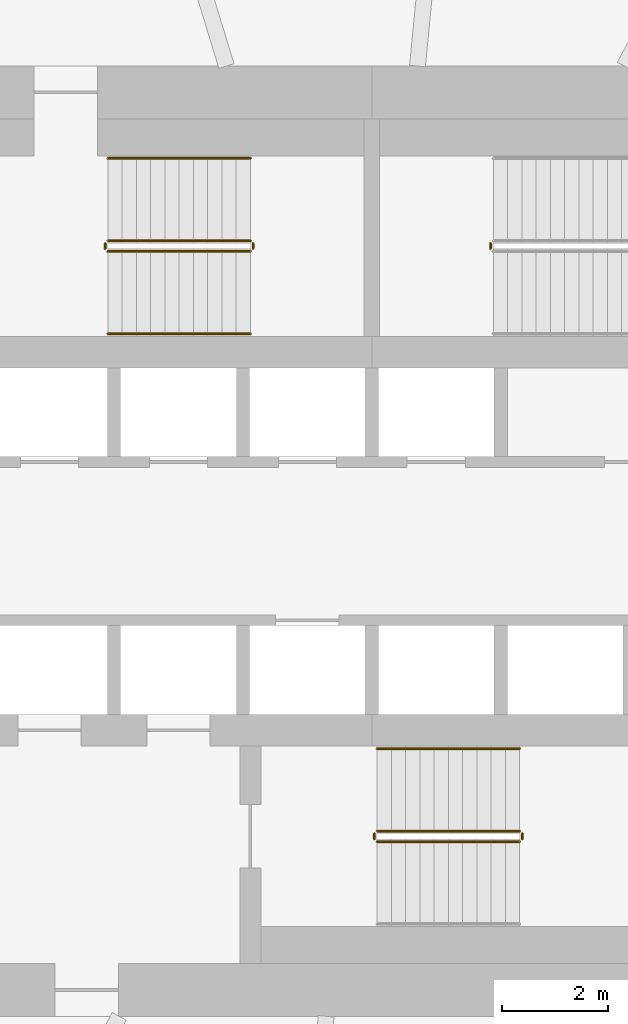
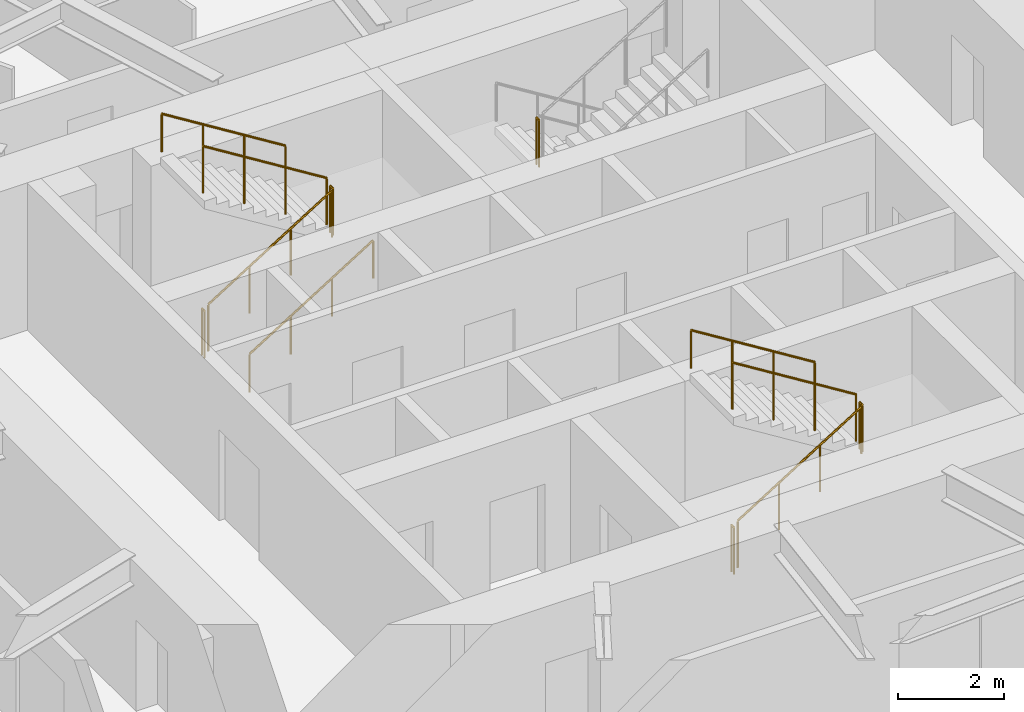
# One storey, part 13 of 17: 12 railings.
"""IFC4 building model written with IfcOpenShell, lengths in metres."""

from ifc_helpers import new_model, si_unit, direction, frame, origin, origin_2d, place, context, subcontext, project, spatial, circle, extrude, material, type_object, element, save


model = new_model("IFC4")

# Units and contexts
model_context = context("Model", 3, precision=1e-05, world=origin(), true_north=direction((0.0, 1.0)))
body_context = subcontext(model_context, "Body", "Model", "MODEL_VIEW")
ifc_project = project(units=[si_unit("LENGTHUNIT", "METRE"), si_unit("AREAUNIT", "SQUARE_METRE"), si_unit("VOLUMEUNIT", "CUBIC_METRE"), si_unit("PLANEANGLEUNIT", "RADIAN"), si_unit("MASSUNIT", "GRAM", prefix="KILO")], contexts=[model_context])

# Site, building, storey
site_placement = place(None, origin())
site = spatial("IfcSite", under=ifc_project, at=site_placement, CompositionType="ELEMENT")
building_placement = place(site_placement, origin())
building = spatial("IfcBuilding", under=site, at=building_placement, Name="Vermilion Reach Broadcast Tower", CompositionType="ELEMENT")
storey_placement = place(building_placement, frame((0.0, 0.0, 39.699951171875)))
storey = spatial("IfcBuildingStorey", under=building, at=storey_placement, Name="L06", CompositionType="ELEMENT", Elevation=39.699951171875)

# Railings
ifc_material_1 = material(Name="Stainless steel", Category="steel")
railing_type_1 = type_object("IfcRailingType", Name="Stair guard 1100", PredefinedType="GUARDRAIL", material=ifc_material_1)
railing_1_placement = place(storey_placement, frame((-11.0, 5.489990234375, 0.168212890625)))
element("IfcRailing", 1, at=railing_1_placement, inside=storey, type_object=railing_type_1, Name="L06 ST1 stair guard 1", PredefinedType="GUARDRAIL", context=body_context, shape_type="SweptSolid", body=[
    extrude(circle(Radius=0.02392578125, at=origin_2d()), frame((0.0, 0.0, 1.076171875), z_axis=(0.848786430784, 0.0, 0.528735846068), x_axis=(0.0, 1.0, 0.0)), (0.0, 0.0, 1.0), 3.180908203125),
    extrude(circle(Radius=0.02099609375, at=origin_2d()), origin(), (0.0, 0.0, 1.0), 1.052001953125),
    extrude(circle(Radius=0.02099609375, at=origin_2d()), frame((0.89990234375, 0.0, 0.560546875)), (0.0, 0.0, 1.0), 1.052001953125),
    extrude(circle(Radius=0.02099609375, at=origin_2d()), frame((1.800048828125, 0.0, 1.121337890625)), (0.0, 0.0, 1.0), 1.052001953125),
    extrude(circle(Radius=0.02099609375, at=origin_2d()), frame((2.699951171875, 0.0, 1.681884765625)), (0.0, 0.0, 1.0), 1.052001953125),
])
railing_2_placement = place(storey_placement, frame((-8.25, 5.5400390625, 1.85009765625)))
element("IfcRailing", 2, at=railing_2_placement, inside=storey, type_object=railing_type_1, Name="L06 ST1 stair guard 2", PredefinedType="GUARDRAIL", context=body_context, shape_type="SweptSolid", body=[
    extrude(circle(Radius=0.02392578125, at=origin_2d()), frame((0.0, 0.0, 1.076171875), z_axis=(0.0, 1.0, 0.0), x_axis=(-1.0, 0.0, 0.0)), (0.0, 0.0, 1.0), 0.099853515625),
    extrude(circle(Radius=0.02099609375, at=origin_2d()), origin(), (0.0, 0.0, 1.0), 1.052001953125),
    extrude(circle(Radius=0.02099609375, at=origin_2d()), frame((0.0, 0.099853515625, 0.0)), (0.0, 0.0, 1.0), 1.052001953125),
])
railing_3_placement = place(storey_placement, frame((-8.300048828125, 5.68994140625, 2.018310546875)))
element("IfcRailing", 3, at=railing_3_placement, inside=storey, type_object=railing_type_1, Name="L06 ST1 stair guard 3", PredefinedType="GUARDRAIL", context=body_context, shape_type="SweptSolid", body=[
    extrude(circle(Radius=0.02392578125, at=origin_2d()), frame((0.0, 0.0, 1.076171875), z_axis=(-0.84882087487, 0.0, 0.528680548522), x_axis=(0.0, -1.0, 0.0)), (0.0, 0.0, 1.0), 3.180908203125),
    extrude(circle(Radius=0.02099609375, at=origin_2d()), origin(), (0.0, 0.0, 1.0), 1.052001953125),
    extrude(circle(Radius=0.02099609375, at=origin_2d()), frame((-0.89990234375, 0.0, 0.560546875)), (0.0, 0.0, 1.0), 1.052001953125),
    extrude(circle(Radius=0.02099609375, at=origin_2d()), frame((-1.800048828125, 0.0, 1.12109375)), (0.0, 0.0, 1.0), 1.052001953125),
    extrude(circle(Radius=0.02099609375, at=origin_2d()), frame((-2.699951171875, 0.0, 1.681640625)), (0.0, 0.0, 1.0), 1.052001953125),
])
railing_4_placement = place(storey_placement, frame((-11.050048828125, 5.5400390625, 0.0)))
element("IfcRailing", 4, at=railing_4_placement, inside=storey, type_object=railing_type_1, Name="L06 ST1 stair guard 4", PredefinedType="GUARDRAIL", context=body_context, shape_type="SweptSolid", body=[
    extrude(circle(Radius=0.02392578125, at=origin_2d()), frame((0.0, 0.0, 1.076171875), z_axis=(0.0, 1.0, 0.0), x_axis=(-1.0, 0.0, 0.0)), (0.0, 0.0, 1.0), 0.099853515625),
    extrude(circle(Radius=0.02099609375, at=origin_2d()), origin(), (0.0, 0.0, 1.0), 1.052001953125),
    extrude(circle(Radius=0.02099609375, at=origin_2d()), frame((0.0, 0.099853515625, 0.0)), (0.0, 0.0, 1.0), 1.052001953125),
])
railing_5_placement = place(storey_placement, frame((-3.75, 5.639892578125, 1.85009765625)))
element("IfcRailing", 5, at=railing_5_placement, inside=storey, type_object=railing_type_1, Name="L06 ST2 stair guard 2", PredefinedType="GUARDRAIL", context=body_context, shape_type="SweptSolid", body=[
    extrude(circle(Radius=0.02392578125, at=origin_2d()), frame((0.0, 0.0, 1.076171875), z_axis=(0.0, -1.0, 0.0), x_axis=(1.0, 0.0, 0.0)), (0.0, 0.0, 1.0), 0.099853515625),
    extrude(circle(Radius=0.02099609375, at=origin_2d()), origin(), (0.0, 0.0, 1.0), 1.052001953125),
    extrude(circle(Radius=0.02099609375, at=origin_2d()), frame((0.0, -0.099853515625, 0.0)), (0.0, 0.0, 1.0), 1.052001953125),
])
railing_6_placement = place(storey_placement, frame((-5.89990234375, -5.68994140625, 0.168212890625)))
element("IfcRailing", 6, at=railing_6_placement, inside=storey, type_object=railing_type_1, Name="L06 ST3 stair guard 1", PredefinedType="GUARDRAIL", context=body_context, shape_type="SweptSolid", body=[
    extrude(circle(Radius=0.02392578125, at=origin_2d()), frame((0.0, 0.0, 1.076171875), z_axis=(0.848786430784, 0.0, 0.528735846068), x_axis=(0.0, 1.0, 0.0)), (0.0, 0.0, 1.0), 3.180908203125),
    extrude(circle(Radius=0.02099609375, at=origin_2d()), origin(), (0.0, 0.0, 1.0), 1.052001953125),
    extrude(circle(Radius=0.02099609375, at=origin_2d()), frame((0.89990234375, 0.0, 0.560546875)), (0.0, 0.0, 1.0), 1.052001953125),
    extrude(circle(Radius=0.02099609375, at=origin_2d()), frame((1.800048828125, 0.0, 1.121337890625)), (0.0, 0.0, 1.0), 1.052001953125),
    extrude(circle(Radius=0.02099609375, at=origin_2d()), frame((2.699951171875, 0.0, 1.681884765625)), (0.0, 0.0, 1.0), 1.052001953125),
])
railing_7_placement = place(storey_placement, frame((-3.14990234375, -5.639892578125, 1.85009765625)))
element("IfcRailing", 7, at=railing_7_placement, inside=storey, type_object=railing_type_1, Name="L06 ST3 stair guard 2", PredefinedType="GUARDRAIL", context=body_context, shape_type="SweptSolid", body=[
    extrude(circle(Radius=0.02392578125, at=origin_2d()), frame((0.0, 0.0, 1.076171875), z_axis=(0.0, 1.0, 0.0), x_axis=(-1.0, 0.0, 0.0)), (0.0, 0.0, 1.0), 0.099853515625),
    extrude(circle(Radius=0.02099609375, at=origin_2d()), origin(), (0.0, 0.0, 1.0), 1.052001953125),
    extrude(circle(Radius=0.02099609375, at=origin_2d()), frame((0.0, 0.099853515625, 0.0)), (0.0, 0.0, 1.0), 1.052001953125),
])
railing_8_placement = place(storey_placement, frame((-3.199951171875, -5.489990234375, 2.018310546875)))
element("IfcRailing", 8, at=railing_8_placement, inside=storey, type_object=railing_type_1, Name="L06 ST3 stair guard 3", PredefinedType="GUARDRAIL", context=body_context, shape_type="SweptSolid", body=[
    extrude(circle(Radius=0.02392578125, at=origin_2d()), frame((0.0, 0.0, 1.076171875), z_axis=(-0.84882087487, 0.0, 0.528680548522), x_axis=(0.0, -1.0, 0.0)), (0.0, 0.0, 1.0), 3.180908203125),
    extrude(circle(Radius=0.02099609375, at=origin_2d()), origin(), (0.0, 0.0, 1.0), 1.052001953125),
    extrude(circle(Radius=0.02099609375, at=origin_2d()), frame((-0.89990234375, 0.0, 0.560546875)), (0.0, 0.0, 1.0), 1.052001953125),
    extrude(circle(Radius=0.02099609375, at=origin_2d()), frame((-1.800048828125, 0.0, 1.12109375)), (0.0, 0.0, 1.0), 1.052001953125),
    extrude(circle(Radius=0.02099609375, at=origin_2d()), frame((-2.699951171875, 0.0, 1.681640625)), (0.0, 0.0, 1.0), 1.052001953125),
])
railing_9_placement = place(storey_placement, frame((-5.949951171875, -5.639892578125, 0.0)))
element("IfcRailing", 9, at=railing_9_placement, inside=storey, type_object=railing_type_1, Name="L06 ST3 stair guard 4", PredefinedType="GUARDRAIL", context=body_context, shape_type="SweptSolid", body=[
    extrude(circle(Radius=0.02392578125, at=origin_2d()), frame((0.0, 0.0, 1.076171875), z_axis=(0.0, 1.0, 0.0), x_axis=(-1.0, 0.0, 0.0)), (0.0, 0.0, 1.0), 0.099853515625),
    extrude(circle(Radius=0.02099609375, at=origin_2d()), origin(), (0.0, 0.0, 1.0), 1.052001953125),
    extrude(circle(Radius=0.02099609375, at=origin_2d()), frame((0.0, 0.099853515625, 0.0)), (0.0, 0.0, 1.0), 1.052001953125),
])
ifc_material_2 = material(Name="Stainless steel", Category="steel")
railing_type_2 = type_object("IfcRailingType", Name="Stair handrail", PredefinedType="HANDRAIL", material=ifc_material_2)
railing_10_placement = place(storey_placement, frame((-11.0, 3.929931640625, 0.168212890625)))
element("IfcRailing", 10, at=railing_10_placement, inside=storey, type_object=railing_type_2, Name="L06 ST1 stair handrail 1", PredefinedType="HANDRAIL", context=body_context, shape_type="SweptSolid", body=[
    extrude(circle(Radius=0.02392578125, at=origin_2d()), frame((0.0, 0.0, 0.8759765625), z_axis=(0.848786430784, 0.0, 0.528735846068), x_axis=(0.0, 1.0, 0.0)), (0.0, 0.0, 1.0), 3.180908203125),
    extrude(circle(Radius=0.02099609375, at=origin_2d()), origin(), (0.0, 0.0, 1.0), 0.851806640625),
    extrude(circle(Radius=0.02099609375, at=origin_2d()), frame((0.89990234375, 0.0, 0.560546875)), (0.0, 0.0, 1.0), 0.851806640625),
    extrude(circle(Radius=0.02099609375, at=origin_2d()), frame((1.800048828125, 0.0, 1.121337890625)), (0.0, 0.0, 1.0), 0.851806640625),
    extrude(circle(Radius=0.02099609375, at=origin_2d()), frame((2.699951171875, 0.0, 1.681884765625)), (0.0, 0.0, 1.0), 0.851806640625),
])
for number, where, name in (
    (11, (-8.300048828125, 7.25, 2.018310546875), "L06 ST1 stair handrail 2"),
    (12, (-3.199951171875, -3.929931640625, 2.018310546875), "L06 ST3 stair handrail 2"),
):
    element("IfcRailing", number, at=place(storey_placement, frame(where)), inside=storey, type_object=railing_type_2, Name=name, PredefinedType="HANDRAIL", context=body_context, shape_type="SweptSolid", body=[
        extrude(circle(Radius=0.02392578125, at=origin_2d()), frame((0.0, 0.0, 0.8759765625), z_axis=(-0.84882087487, 0.0, 0.528680548522), x_axis=(0.0, -1.0, 0.0)), (0.0, 0.0, 1.0), 3.180908203125),
        extrude(circle(Radius=0.02099609375, at=origin_2d()), origin(), (0.0, 0.0, 1.0), 0.851806640625),
        extrude(circle(Radius=0.02099609375, at=origin_2d()), frame((-0.89990234375, 0.0, 0.560546875)), (0.0, 0.0, 1.0), 0.851806640625),
        extrude(circle(Radius=0.02099609375, at=origin_2d()), frame((-1.800048828125, 0.0, 1.12109375)), (0.0, 0.0, 1.0), 0.851806640625),
        extrude(circle(Radius=0.02099609375, at=origin_2d()), frame((-2.699951171875, 0.0, 1.681640625)), (0.0, 0.0, 1.0), 0.851806640625),
    ])

save(model, "model.ifc")
